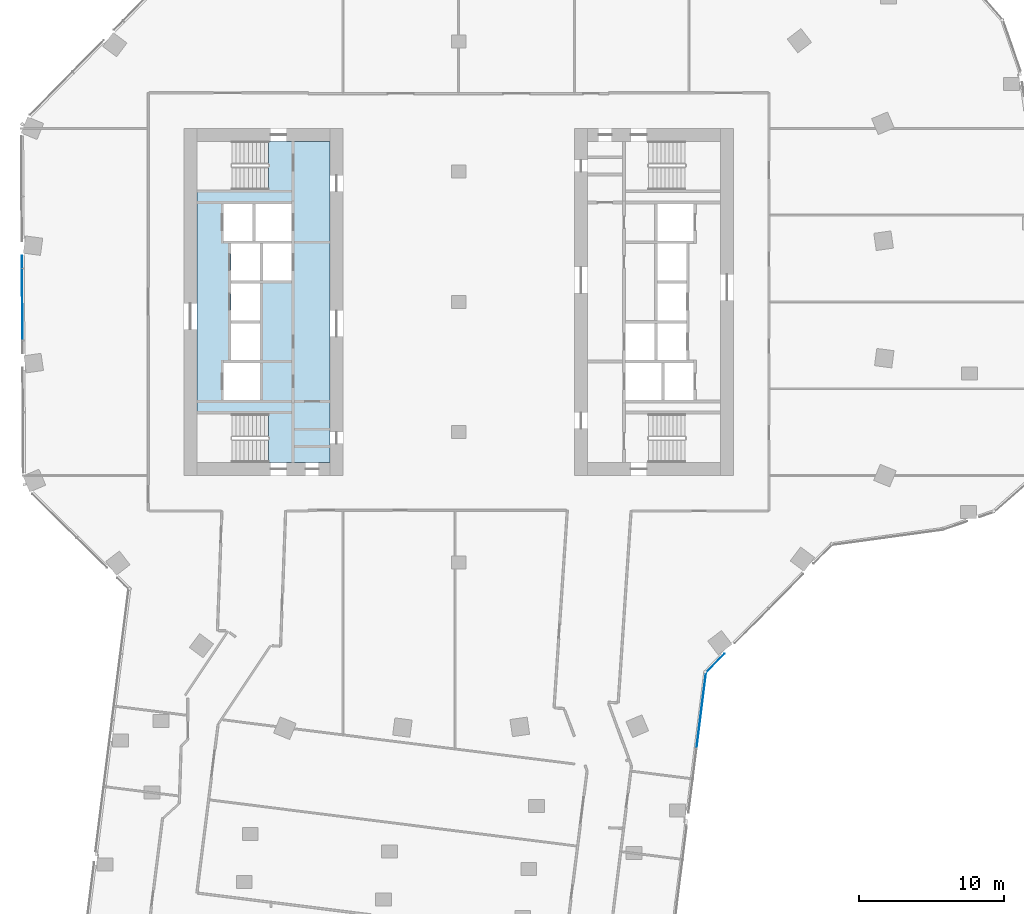
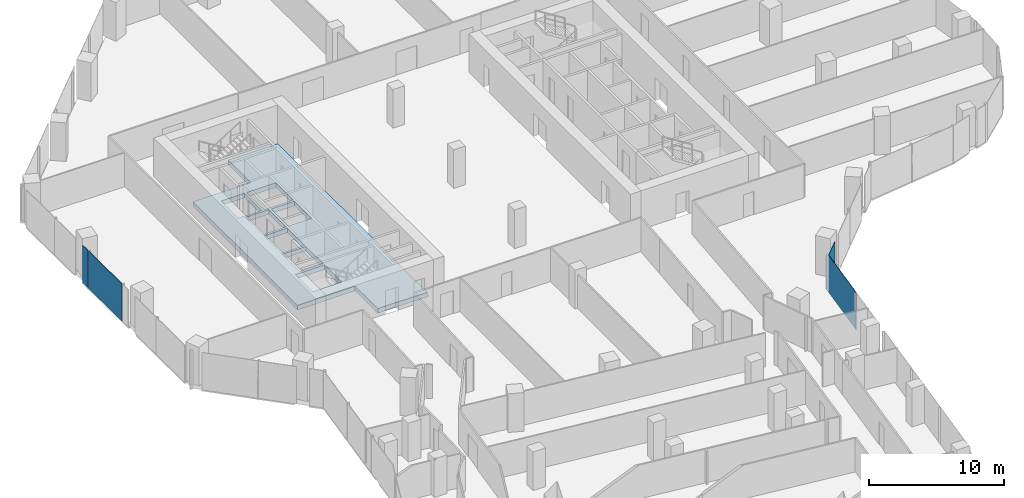
# One storey, part 14 of 27: 4 plates, 1 slab, 3 elements without a shape of their own.
"""IFC4 building model written with IfcOpenShell, lengths in metres."""

from ifc_helpers import new_model, si_unit, direction, frame, origin, origin_2d, place, context, subcontext, project, spatial, polyline, rectangle, outline, extrude, material, layer, layer_set, type_object, element, aggregate, save


model = new_model("IFC4")

# Units and contexts
model_context = context("Model", 3, precision=1e-05, world=origin(), true_north=direction((0.0, 1.0)))
body_context = subcontext(model_context, "Body", "Model", "MODEL_VIEW")
ifc_project = project(units=[si_unit("LENGTHUNIT", "METRE"), si_unit("AREAUNIT", "SQUARE_METRE"), si_unit("VOLUMEUNIT", "CUBIC_METRE"), si_unit("PLANEANGLEUNIT", "RADIAN"), si_unit("MASSUNIT", "GRAM", prefix="KILO")], contexts=[model_context])

# Site, building, storey
site_placement = place(None, origin())
site = spatial("IfcSite", under=ifc_project, at=site_placement, CompositionType="ELEMENT")
building_placement = place(site_placement, origin())
building = spatial("IfcBuilding", under=site, at=building_placement, Name="Orlundy Tower", CompositionType="ELEMENT")
storey_placement = place(building_placement, frame((0.0, 0.0, 192.10009765625)))
storey = spatial("IfcBuildingStorey", under=building, at=storey_placement, Name="L50", CompositionType="ELEMENT", Elevation=192.10009765625)

# Curtain wall, plates
ifc_material_1 = material(Name="Aluminium bronze anodised", Category="aluminium")
curtain_wall_type = type_object("IfcCurtainWallType", Name="CW1 wall", PredefinedType="NOTDEFINED", material=ifc_material_1)
curtain_wall_1_placement = place(storey_placement, origin())
curtain_wall_1 = element("IfcCurtainWall", 1, at=curtain_wall_1_placement, inside=storey, type_object=curtain_wall_type, Name="CW1 run 02", PredefinedType="NOTDEFINED")
ifc_material_2 = material(Name="Tinted glass", Category="glass")
ifc_layer_1 = layer(ifc_material_2, 0.031982421875)
ifc_layer_set_1 = layer_set([ifc_layer_1], Name="CW1 glass panel 32")
plate_type = type_object("IfcPlateType", Name="CW1 glass panel 32", PredefinedType="CURTAIN_PANEL", material=ifc_layer_set_1)
plate_1_placement = place(storey_placement, frame((-30.16357421875, -0.175537109375, -0.300048828125), z_axis=(0.0, 0.0, 1.0), x_axis=(-0.005834206419, 0.999982980873, 0.0)))
plate_1 = element("IfcPlate", 2, at=plate_1_placement, type_object=plate_type, Name="CW1 panel", PredefinedType="CURTAIN_PANEL", context=body_context, shape_type="SweptSolid", body=[
    extrude(rectangle(XDim=4.920654296875, YDim=0.031982421875, at=origin_2d()), origin(), (0.0, 0.0, 1.0), 3.3798828125),
])
plate_2_placement = place(storey_placement, frame((-30.1806640625, 2.758056640625, -0.300048828125), z_axis=(0.0, 0.0, 1.0), x_axis=(-0.005834206419, 0.999982980873, 0.0)))
plate_2 = element("IfcPlate", 3, at=plate_2_placement, type_object=plate_type, Name="CW1 panel", PredefinedType="CURTAIN_PANEL", context=body_context, shape_type="SweptSolid", body=[
    extrude(rectangle(XDim=0.8466796875, YDim=0.031982421875, at=origin_2d()), origin(), (0.0, 0.0, 1.0), 3.3798828125),
])
aggregate(curtain_wall_1, [plate_1, plate_2])

# Curtain wall, plate
curtain_wall_2_placement = place(storey_placement, origin())
curtain_wall_2 = element("IfcCurtainWall", 4, at=curtain_wall_2_placement, inside=storey, type_object=curtain_wall_type, Name="CW1 run 017", PredefinedType="NOTDEFINED")
plate_3_placement = place(storey_placement, frame((17.739013671875, -24.9619140625, -0.300048828125), z_axis=(0.0, 0.0, 1.0), x_axis=(-0.702970467781, -0.711219038994, 0.0)))
plate_3 = element("IfcPlate", 5, at=plate_3_placement, type_object=plate_type, Name="CW1 panel", PredefinedType="CURTAIN_PANEL", context=body_context, shape_type="SweptSolid", body=[
    extrude(rectangle(XDim=1.810302734375, YDim=0.031982421875, at=origin_2d()), origin(), (0.0, 0.0, 1.0), 3.3798828125),
])
aggregate(curtain_wall_2, [plate_3])

curtain_wall_3_placement = place(storey_placement, origin())
curtain_wall_3 = element("IfcCurtainWall", 6, at=curtain_wall_3_placement, inside=storey, type_object=curtain_wall_type, Name="CW1 run 018", PredefinedType="NOTDEFINED")
plate_4_placement = place(storey_placement, frame((16.773681640625, -28.22314453125, -0.300048828125), z_axis=(0.0, 0.0, 1.0), x_axis=(-0.124742379758, -0.992189164773, 0.0)))
plate_4 = element("IfcPlate", 7, at=plate_4_placement, type_object=plate_type, Name="CW1 panel", PredefinedType="CURTAIN_PANEL", context=body_context, shape_type="SweptSolid", body=[
    extrude(rectangle(XDim=5.27587890625, YDim=0.031982421875, at=origin_2d()), origin(), (0.0, 0.0, 1.0), 3.3798828125),
])
aggregate(curtain_wall_3, [plate_4])

# Slab
ifc_material_3 = material(Name="Concrete C50/60", Category="concrete")
ifc_layer_2 = layer(ifc_material_3, 0.419921875)
ifc_layer_set_2 = layer_set([ifc_layer_2], Name="Core Floor Slab 420")
slab_type = type_object("IfcSlabType", Name="Core Floor Slab 420", PredefinedType="FLOOR", material=ifc_layer_set_2)
slab_placement = place(storey_placement, frame((0.0, 0.0, -0.420166015625)))
element("IfcSlab", 8, at=slab_placement, inside=storey, type_object=slab_type, Name="Core floor W39", PredefinedType="FLOOR", context=body_context, shape_type="SweptSolid", body=[
    extrude(outline(polyline([(-13.14501953125, -11.10009765625), (-13.14501953125, -7.75), (-18.10009765625, -7.75), (-18.10009765625, 7.75), (-13.14501953125, 7.75), (-13.14501953125, 11.10009765625), (-8.89990234375, 11.10009765625), (-8.89990234375, -11.10009765625), (-13.14501953125, -11.10009765625)]), holes=[polyline([(-13.739990234375, -4.22509765625), (-16.239990234375, -4.22509765625), (-16.239990234375, -6.77490234375), (-13.739990234375, -6.77490234375), (-13.739990234375, -4.22509765625)]), polyline([(-13.739990234375, -4.02490234375), (-13.739990234375, -1.47509765625), (-15.739990234375, -1.47509765625), (-15.739990234375, -4.02490234375), (-13.739990234375, -4.02490234375)]), polyline([(-15.739990234375, -1.27490234375), (-13.739990234375, -1.27490234375), (-13.739990234375, 1.27490234375), (-15.739990234375, 1.27490234375), (-15.739990234375, -1.27490234375)]), polyline([(-13.5400390625, 4.02490234375), (-13.5400390625, 1.47509765625), (-11.5400390625, 1.47509765625), (-11.5400390625, 4.02490234375), (-13.5400390625, 4.02490234375)]), polyline([(-13.739990234375, 4.02490234375), (-15.739990234375, 4.02490234375), (-15.739990234375, 1.47509765625), (-13.739990234375, 1.47509765625), (-13.739990234375, 4.02490234375)]), polyline([(-11.5400390625, 4.22509765625), (-11.5400390625, 6.77490234375), (-14.0400390625, 6.77490234375), (-14.0400390625, 4.22509765625), (-11.5400390625, 4.22509765625)]), polyline([(-16.239990234375, 4.22509765625), (-14.239990234375, 4.22509765625), (-14.239990234375, 6.77490234375), (-16.239990234375, 6.77490234375), (-16.239990234375, 4.22509765625)])]), origin(), (0.0, 0.0, 1.0), 0.420166015625),
])

save(model, "model.ifc")
